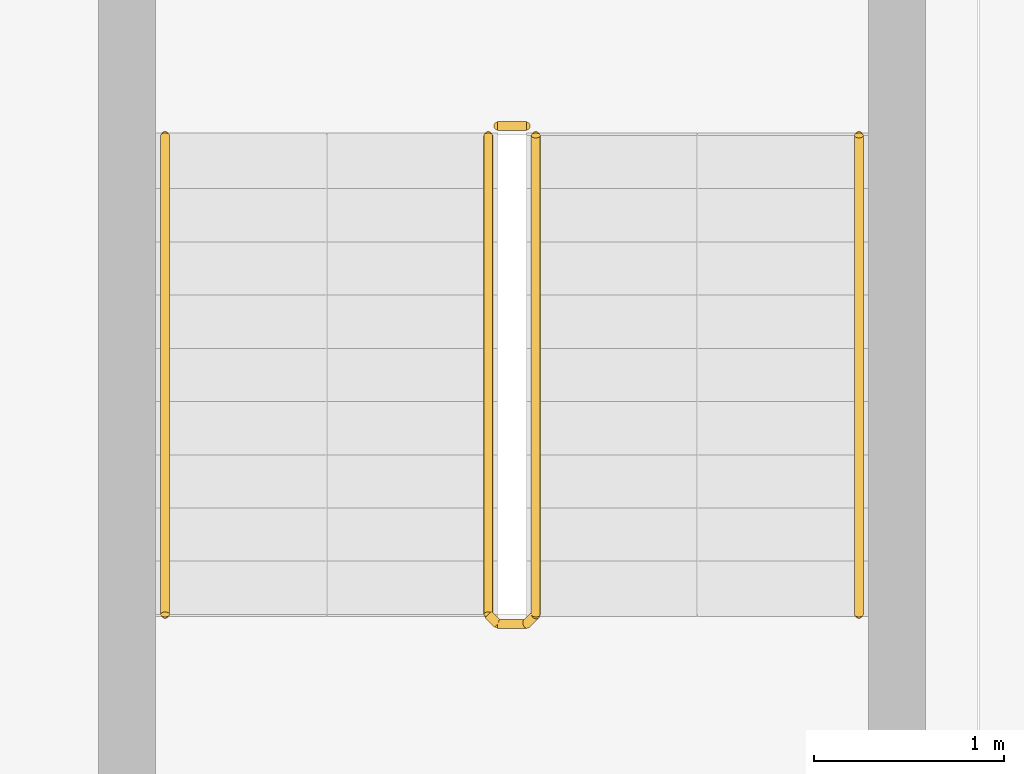
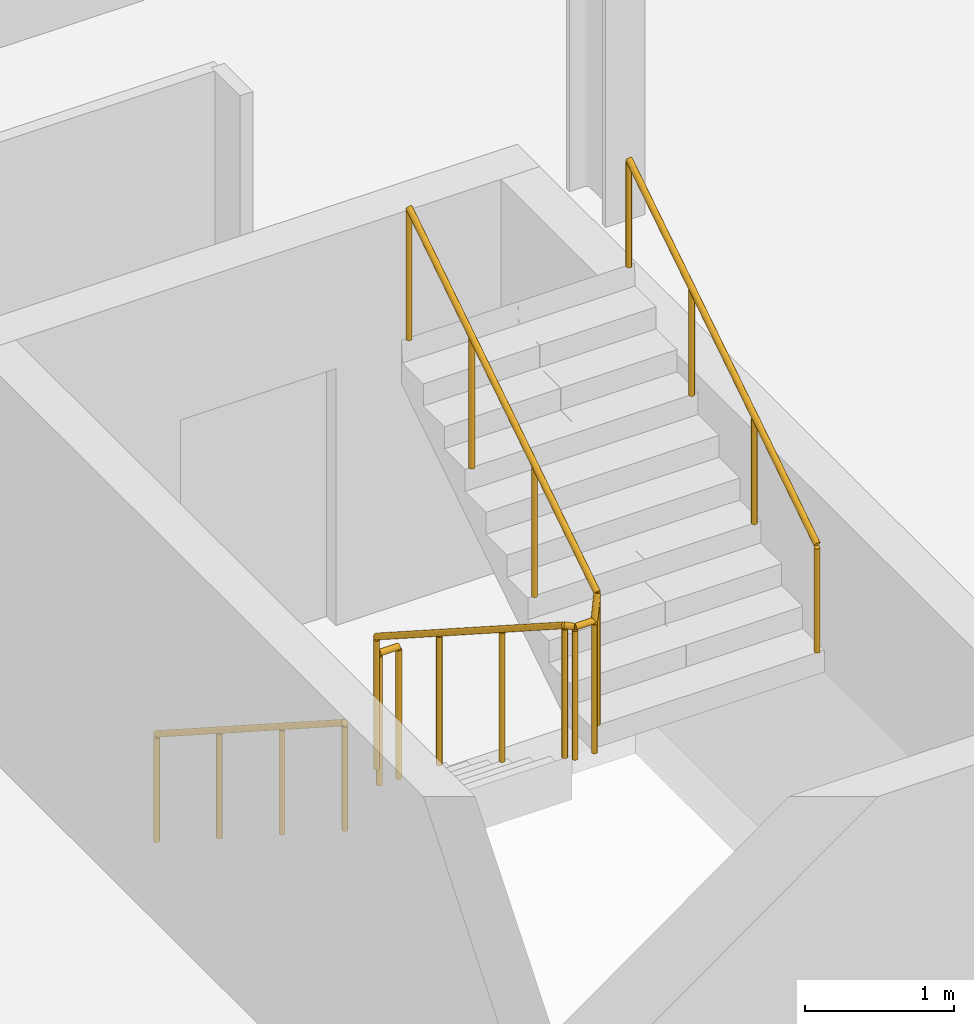
# One storey, part 25 of 27: 4 railings.
"""IFC4 building model written with IfcOpenShell, lengths in metres."""

from ifc_helpers import new_model, si_unit, direction, frame, origin, origin_2d, place, context, subcontext, project, spatial, circle, extrude, material, type_object, element, save


model = new_model("IFC4")

# Units and contexts
model_context = context("Model", 3, precision=1e-05, world=origin(), true_north=direction((0.0, 1.0)))
body_context = subcontext(model_context, "Body", "Model", "MODEL_VIEW")
ifc_project = project(units=[si_unit("LENGTHUNIT", "METRE"), si_unit("AREAUNIT", "SQUARE_METRE"), si_unit("VOLUMEUNIT", "CUBIC_METRE"), si_unit("PLANEANGLEUNIT", "RADIAN"), si_unit("MASSUNIT", "GRAM", prefix="KILO")], contexts=[model_context])

# Site, building, storey
site_placement = place(None, origin())
site = spatial("IfcSite", under=ifc_project, at=site_placement, CompositionType="ELEMENT")
building_placement = place(site_placement, origin())
building = spatial("IfcBuilding", under=site, at=building_placement, Name="Wharfspan Tower", CompositionType="ELEMENT")
storey_placement = place(building_placement, frame((0.0, 0.0, 118.300049)))
storey = spatial("IfcBuildingStorey", under=building, at=storey_placement, Name="L27", CompositionType="ELEMENT", Elevation=118.300049)

# Railings
ifc_material = material(Name="Steel S355J2", Category="steel")
railing_type_1 = type_object("IfcRailingType", Name="Stair guard 1100", PredefinedType="GUARDRAIL", material=ifc_material)
railing_1_placement = place(storey_placement, frame((43.235352, 6.316895, 0.179932)))
element("IfcRailing", 1, at=railing_1_placement, inside=storey, type_object=railing_type_1, Name="L27 ST4 stair guard 1", PredefinedType="GUARDRAIL", context=body_context, shape_type="SweptSolid", body=[
    extrude(circle(Radius=0.023926, at=origin_2d()), frame((0.0, 0.0, 1.076172), z_axis=(0.0, -0.841163, 0.540782), x_axis=(1.0, 0.0, 0.0)), (0.0, 0.0, 1.0), 2.99585),
    extrude(circle(Radius=0.023926, at=origin_2d()), frame((0.0, -2.52002, 2.696289), z_axis=(0.707107, -0.707107, 0.0), x_axis=(0.707107, 0.707107, 0.0)), (0.0, 0.0, 1.0), 0.070312),
    extrude(circle(Radius=0.023926, at=origin_2d()), frame((0.049805, -2.569824, 2.696289), z_axis=(1.0, 0.0, 0.0), x_axis=(0.0, 1.0, 0.0)), (0.0, 0.0, 1.0), 0.150146),
    extrude(circle(Radius=0.023926, at=origin_2d()), frame((0.199951, -2.569824, 2.696289), z_axis=(0.258932, 0.257669, 0.930892), x_axis=(-0.705372, 0.708833, -1e-06)), (0.0, 0.0, 1.0), 0.193359),
    extrude(circle(Radius=0.023926, at=origin_2d()), frame((0.25, -2.52002, 2.875977), z_axis=(0.0, 0.8412, 0.540725), x_axis=(-1.0, 0.0, 0.0)), (0.0, 0.0, 1.0), 2.99585),
    extrude(circle(Radius=0.020996, at=origin_2d()), origin(), (0.0, 0.0, 1.0), 1.052002),
    extrude(circle(Radius=0.020996, at=origin_2d()), frame((0.0, -0.840088, 0.540039)), (0.0, 0.0, 1.0), 1.052002),
    extrude(circle(Radius=0.020996, at=origin_2d()), frame((0.0, -1.679932, 1.080078)), (0.0, 0.0, 1.0), 1.052002),
    extrude(circle(Radius=0.020996, at=origin_2d()), frame((0.0, -2.52002, 1.620117)), (0.0, 0.0, 1.0), 1.052002),
    extrude(circle(Radius=0.020996, at=origin_2d()), frame((0.049805, -2.569824, 1.620117)), (0.0, 0.0, 1.0), 1.052002),
    extrude(circle(Radius=0.020996, at=origin_2d()), frame((0.199951, -2.569824, 1.620117)), (0.0, 0.0, 1.0), 1.052002),
    extrude(circle(Radius=0.020996, at=origin_2d()), frame((0.25, -2.52002, 1.800049)), (0.0, 0.0, 1.0), 1.052002),
    extrude(circle(Radius=0.020996, at=origin_2d()), frame((0.25, -1.679932, 2.340088)), (0.0, 0.0, 1.0), 1.052002),
    extrude(circle(Radius=0.020996, at=origin_2d()), frame((0.25, -0.840088, 2.879883)), (0.0, 0.0, 1.0), 1.052002),
    extrude(circle(Radius=0.020996, at=origin_2d()), frame((0.25, 0.0, 3.419922)), (0.0, 0.0, 1.0), 1.052002),
])
railing_2_placement = place(storey_placement, frame((43.285156, 6.366943, 0.0)))
element("IfcRailing", 2, at=railing_2_placement, inside=storey, type_object=railing_type_1, Name="L27 ST4 stair guard 2", PredefinedType="GUARDRAIL", context=body_context, shape_type="SweptSolid", body=[
    extrude(circle(Radius=0.023926, at=origin_2d()), frame((0.0, 0.0, 1.076172), z_axis=(1.0, 0.0, 0.0), x_axis=(0.0, 1.0, 0.0)), (0.0, 0.0, 1.0), 0.150146),
    extrude(circle(Radius=0.020996, at=origin_2d()), origin(), (0.0, 0.0, 1.0), 1.052002),
    extrude(circle(Radius=0.020996, at=origin_2d()), frame((0.150146, 0.0, 0.0)), (0.0, 0.0, 1.0), 1.052002),
])
railing_type_2 = type_object("IfcRailingType", Name="Stair handrail 900", PredefinedType="HANDRAIL", material=ifc_material)
railing_3_placement = place(storey_placement, frame((41.535156, 6.316895, 0.179932)))
element("IfcRailing", 3, at=railing_3_placement, inside=storey, type_object=railing_type_2, Name="L27 ST4 stair handrail 1", PredefinedType="HANDRAIL", context=body_context, shape_type="SweptSolid", body=[
    extrude(circle(Radius=0.023926, at=origin_2d()), frame((0.0, 0.0, 0.875977), z_axis=(0.0, -0.841163, 0.540782), x_axis=(1.0, 0.0, 0.0)), (0.0, 0.0, 1.0), 2.99585),
    extrude(circle(Radius=0.020996, at=origin_2d()), origin(), (0.0, 0.0, 1.0), 0.851807),
    extrude(circle(Radius=0.020996, at=origin_2d()), frame((0.0, -0.840088, 0.540039)), (0.0, 0.0, 1.0), 0.851807),
    extrude(circle(Radius=0.020996, at=origin_2d()), frame((0.0, -1.679932, 1.080078)), (0.0, 0.0, 1.0), 0.851807),
    extrude(circle(Radius=0.020996, at=origin_2d()), frame((0.0, -2.52002, 1.620117)), (0.0, 0.0, 1.0), 0.851807),
])
railing_4_placement = place(storey_placement, frame((45.185303, 3.796875, 1.97998)))
element("IfcRailing", 4, at=railing_4_placement, inside=storey, type_object=railing_type_2, Name="L27 ST4 stair handrail 2", PredefinedType="HANDRAIL", context=body_context, shape_type="SweptSolid", body=[
    extrude(circle(Radius=0.023926, at=origin_2d()), frame((0.0, 0.0, 0.875977), z_axis=(0.0, 0.8412, 0.540725), x_axis=(-1.0, 0.0, 0.0)), (0.0, 0.0, 1.0), 2.99585),
    extrude(circle(Radius=0.020996, at=origin_2d()), origin(), (0.0, 0.0, 1.0), 0.851807),
    extrude(circle(Radius=0.020996, at=origin_2d()), frame((0.0, 0.840088, 0.540039)), (0.0, 0.0, 1.0), 0.851807),
    extrude(circle(Radius=0.020996, at=origin_2d()), frame((0.0, 1.679932, 1.079834)), (0.0, 0.0, 1.0), 0.851807),
    extrude(circle(Radius=0.020996, at=origin_2d()), frame((0.0, 2.52002, 1.619873)), (0.0, 0.0, 1.0), 0.851807),
])

save(model, "model.ifc")
